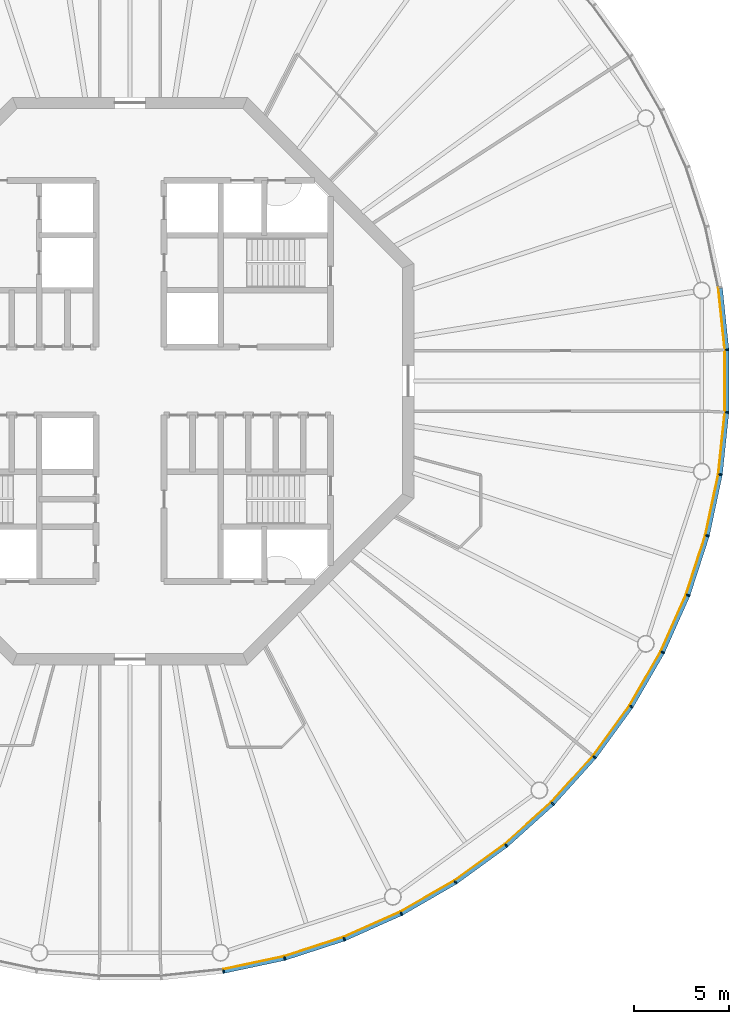
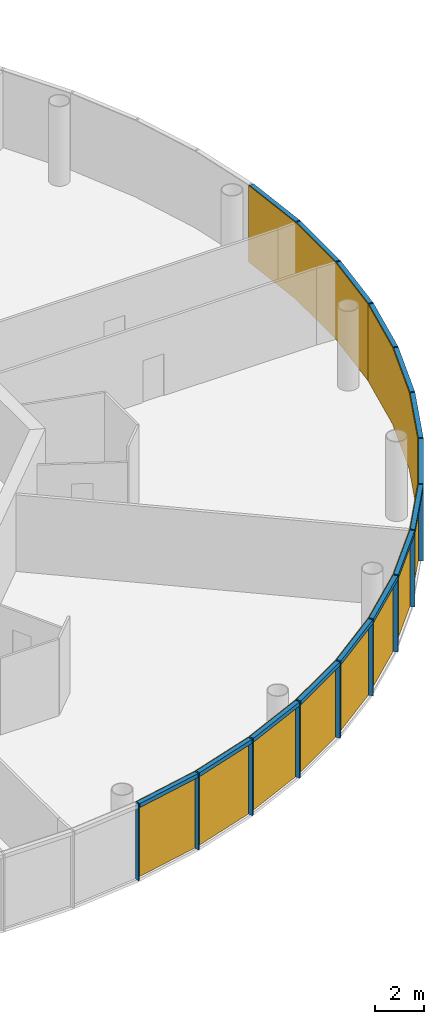
# One storey, part 9 of 13: 30 members, 5 curtain walls.
"""IFC4 building model written with IfcOpenShell, lengths in metres."""

from ifc_helpers import new_model, si_unit, direction, frame, origin, origin_2d, place, context, subcontext, project, spatial, polyline, rectangle, outline, extrude, material, layer, layer_set, material_profile, profile_set, type_object, element, aggregate, save


model = new_model("IFC4")

# Units and contexts
model_context = context("Model", 3, precision=1e-05, world=origin(), true_north=direction((0.0, 1.0)))
body_context = subcontext(model_context, "Body", "Model", "MODEL_VIEW")
ifc_project = project(units=[si_unit("LENGTHUNIT", "METRE"), si_unit("AREAUNIT", "SQUARE_METRE"), si_unit("VOLUMEUNIT", "CUBIC_METRE"), si_unit("PLANEANGLEUNIT", "RADIAN"), si_unit("MASSUNIT", "GRAM", prefix="KILO")], contexts=[model_context])

# Member
ifc_material_1 = material(Name="Anodised aluminium", Category="aluminium")
ifc_material_profile_1 = material_profile(ifc_material_1, rectangle(XDim=0.070068359375, YDim=0.205078125, at=origin_2d()), Name="Mullion 70 x 205 mm anodised aluminium")
ifc_profile_set_1 = profile_set([ifc_material_profile_1], Name="Anodised aluminium")
member_type_1 = type_object("IfcMemberType", Name="Mullion 70 x 205 mm anodised aluminium", PredefinedType="MULLION", material=ifc_profile_set_1)
site_placement = place(None, origin())
building_placement = place(site_placement, origin())
storey_placement = place(building_placement, frame((0.0, 0.0, 364.0)))
member_1_placement = place(storey_placement, frame((94.943603515625, 48.78662109375, 0.0), z_axis=(0.0, 0.0, 1.0), x_axis=(0.987688340595, 0.15643446504, 0.0)))
member_1 = element("IfcMember", 1, at=member_1_placement, type_object=member_type_1, Name="MULLION L84-45", PredefinedType="MULLION", context=body_context, shape_type="SweptSolid", body=[
    extrude(rectangle(XDim=0.070068359375, YDim=0.205078125, at=origin_2d()), origin(), (0.0, 0.0, 1.0), 3.85009765625),
])

member_2_placement = place(storey_placement, frame((98.179443359375, 49.474365234375, 0.0), z_axis=(0.0, 0.0, 1.0), x_axis=(0.965925826289, 0.258819045103, 0.0)))
member_2 = element("IfcMember", 2, at=member_2_placement, type_object=member_type_1, Name="MULLION L84-46", PredefinedType="MULLION", context=body_context, shape_type="SweptSolid", body=[
    extrude(rectangle(XDim=0.070068359375, YDim=0.205078125, at=origin_2d()), origin(), (0.0, 0.0, 1.0), 3.85009765625),
])

member_3_placement = place(storey_placement, frame((101.325439453125, 50.49658203125, 0.0), z_axis=(0.0, 0.0, 1.0), x_axis=(0.933580426497, 0.358367949545, 0.0)))
member_3 = element("IfcMember", 3, at=member_3_placement, type_object=member_type_1, Name="MULLION L84-47", PredefinedType="MULLION", context=body_context, shape_type="SweptSolid", body=[
    extrude(rectangle(XDim=0.070068359375, YDim=0.205078125, at=origin_2d()), origin(), (0.0, 0.0, 1.0), 3.85009765625),
])

member_4_placement = place(storey_placement, frame((104.34716796875, 51.842041015625, 0.0), z_axis=(0.0, 0.0, 1.0), x_axis=(0.891006524188, 0.45399049974, 0.0)))
member_4 = element("IfcMember", 4, at=member_4_placement, type_object=member_type_1, Name="MULLION L84-48", PredefinedType="MULLION", context=body_context, shape_type="SweptSolid", body=[
    extrude(rectangle(XDim=0.070068359375, YDim=0.205078125, at=origin_2d()), origin(), (0.0, 0.0, 1.0), 3.85009765625),
])

member_5_placement = place(storey_placement, frame((107.2119140625, 53.495849609375, 0.0), z_axis=(0.0, 0.0, 1.0), x_axis=(0.838670567945, 0.544639035015, 0.0)))
member_5 = element("IfcMember", 5, at=member_5_placement, type_object=member_type_1, Name="MULLION L84-49", PredefinedType="MULLION", context=body_context, shape_type="SweptSolid", body=[
    extrude(rectangle(XDim=0.070068359375, YDim=0.205078125, at=origin_2d()), origin(), (0.0, 0.0, 1.0), 3.85009765625),
])

member_6_placement = place(storey_placement, frame((109.88818359375, 55.440185546875, 0.0), z_axis=(0.0, 0.0, 1.0), x_axis=(0.777145961457, 0.62932039105, 0.0)))
member_6 = element("IfcMember", 6, at=member_6_placement, type_object=member_type_1, Name="MULLION L84-50", PredefinedType="MULLION", context=body_context, shape_type="SweptSolid", body=[
    extrude(rectangle(XDim=0.070068359375, YDim=0.205078125, at=origin_2d()), origin(), (0.0, 0.0, 1.0), 3.85009765625),
])

member_7_placement = place(storey_placement, frame((112.346435546875, 57.653564453125, 0.0), z_axis=(0.0, 0.0, 1.0), x_axis=(0.707106781187, 0.707106781187, 0.0)))
member_7 = element("IfcMember", 7, at=member_7_placement, type_object=member_type_1, Name="MULLION L84-51", PredefinedType="MULLION", context=body_context, shape_type="SweptSolid", body=[
    extrude(rectangle(XDim=0.070068359375, YDim=0.205078125, at=origin_2d()), origin(), (0.0, 0.0, 1.0), 3.85009765625),
])

member_8_placement = place(storey_placement, frame((114.559814453125, 60.11181640625, 0.0), z_axis=(0.0, 0.0, 1.0), x_axis=(0.62932039105, 0.777145961457, 0.0)))
member_8 = element("IfcMember", 8, at=member_8_placement, type_object=member_type_1, Name="MULLION L84-52", PredefinedType="MULLION", context=body_context, shape_type="SweptSolid", body=[
    extrude(rectangle(XDim=0.070068359375, YDim=0.205078125, at=origin_2d()), origin(), (0.0, 0.0, 1.0), 3.85009765625),
])

member_9_placement = place(storey_placement, frame((116.504150390625, 62.7880859375, 0.0), z_axis=(0.0, 0.0, 1.0), x_axis=(0.544639035015, 0.838670567945, 0.0)))
member_9 = element("IfcMember", 9, at=member_9_placement, type_object=member_type_1, Name="MULLION L84-53", PredefinedType="MULLION", context=body_context, shape_type="SweptSolid", body=[
    extrude(rectangle(XDim=0.070068359375, YDim=0.205078125, at=origin_2d()), origin(), (0.0, 0.0, 1.0), 3.85009765625),
])

member_10_placement = place(storey_placement, frame((118.157958984375, 65.65283203125, 0.0), z_axis=(0.0, 0.0, 1.0), x_axis=(0.45399049974, 0.891006524188, 0.0)))
member_10 = element("IfcMember", 10, at=member_10_placement, type_object=member_type_1, Name="MULLION L84-54", PredefinedType="MULLION", context=body_context, shape_type="SweptSolid", body=[
    extrude(rectangle(XDim=0.070068359375, YDim=0.205078125, at=origin_2d()), origin(), (0.0, 0.0, 1.0), 3.85009765625),
])

member_11_placement = place(storey_placement, frame((119.50341796875, 68.674560546875, 0.0), z_axis=(0.0, 0.0, 1.0), x_axis=(0.358367949545, 0.933580426497, 0.0)))
member_11 = element("IfcMember", 11, at=member_11_placement, type_object=member_type_1, Name="MULLION L84-55", PredefinedType="MULLION", context=body_context, shape_type="SweptSolid", body=[
    extrude(rectangle(XDim=0.070068359375, YDim=0.205078125, at=origin_2d()), origin(), (0.0, 0.0, 1.0), 3.85009765625),
])

member_12_placement = place(storey_placement, frame((120.525634765625, 71.820556640625, 0.0), z_axis=(0.0, 0.0, 1.0), x_axis=(0.258819045103, 0.965925826289, 0.0)))
member_12 = element("IfcMember", 12, at=member_12_placement, type_object=member_type_1, Name="MULLION L84-56", PredefinedType="MULLION", context=body_context, shape_type="SweptSolid", body=[
    extrude(rectangle(XDim=0.070068359375, YDim=0.205078125, at=origin_2d()), origin(), (0.0, 0.0, 1.0), 3.85009765625),
])

member_13_placement = place(storey_placement, frame((121.21337890625, 75.056396484375, 0.0), z_axis=(0.0, 0.0, 1.0), x_axis=(0.15643446504, 0.987688340595, 0.0)))
member_13 = element("IfcMember", 13, at=member_13_placement, type_object=member_type_1, Name="MULLION L84-57", PredefinedType="MULLION", context=body_context, shape_type="SweptSolid", body=[
    extrude(rectangle(XDim=0.070068359375, YDim=0.205078125, at=origin_2d()), origin(), (0.0, 0.0, 1.0), 3.85009765625),
])

member_14_placement = place(storey_placement, frame((121.55908203125, 78.345947265625, 0.0), z_axis=(0.0, 0.0, 1.0), x_axis=(0.052335956243, 0.998629534755, 0.0)))
member_14 = element("IfcMember", 14, at=member_14_placement, type_object=member_type_1, Name="MULLION L84-58", PredefinedType="MULLION", context=body_context, shape_type="SweptSolid", body=[
    extrude(rectangle(XDim=0.070068359375, YDim=0.205078125, at=origin_2d()), origin(), (0.0, 0.0, 1.0), 3.85009765625),
])

member_15_placement = place(storey_placement, frame((121.55908203125, 81.654052734375, 0.0), z_axis=(0.0, 0.0, 1.0), x_axis=(-0.052335956243, 0.998629534755, 0.0)))
member_15 = element("IfcMember", 15, at=member_15_placement, type_object=member_type_1, Name="MULLION L84-59", PredefinedType="MULLION", context=body_context, shape_type="SweptSolid", body=[
    extrude(rectangle(XDim=0.070068359375, YDim=0.205078125, at=origin_2d()), origin(), (0.0, 0.0, 1.0), 3.85009765625),
])

ifc_material_2 = material(Name="Anodised aluminium", Category="aluminium")
ifc_material_profile_2 = material_profile(ifc_material_2, rectangle(XDim=0.205078125, YDim=0.195068359375, at=origin_2d()), Name="Transom 195 x 205 mm anodised aluminium")
ifc_profile_set_2 = profile_set([ifc_material_profile_2], Name="Anodised aluminium")
member_type_2 = type_object("IfcMemberType", Name="Transom 195 x 205 mm anodised aluminium", PredefinedType="USERDEFINED", material=ifc_profile_set_2)
member_16_placement = place(storey_placement, frame((94.983154296875, 48.794921875, 3.75244140625), z_axis=(0.978153082647, 0.207885898771, 0.0), x_axis=(-0.207885898771, 0.978153082647, 0.0)))
member_16 = element("IfcMember", 16, at=member_16_placement, type_object=member_type_2, Name="TRANSOM L84-45", ObjectType="TRANSOM", PredefinedType="USERDEFINED", context=body_context, shape_type="SweptSolid", body=[
    extrude(rectangle(XDim=0.205078125, YDim=0.195068359375, at=origin_2d()), origin(), (0.0, 0.0, 1.0), 3.227294921875),
])

member_17_placement = place(storey_placement, frame((98.2177734375, 49.486572265625, 3.75244140625), z_axis=(0.951046855117, 0.309046726844, 0.0), x_axis=(-0.309046726844, 0.951046855117, 0.0)))
member_17 = element("IfcMember", 17, at=member_17_placement, type_object=member_type_2, Name="TRANSOM L84-46", ObjectType="TRANSOM", PredefinedType="USERDEFINED", context=body_context, shape_type="SweptSolid", body=[
    extrude(rectangle(XDim=0.205078125, YDim=0.195068359375, at=origin_2d()), origin(), (0.0, 0.0, 1.0), 3.22705078125),
])

member_18_placement = place(storey_placement, frame((101.3623046875, 50.5126953125, 3.75244140625), z_axis=(0.913521178731, 0.406791170024, 0.0), x_axis=(-0.406791170024, 0.913521178731, 0.0)))
member_18 = element("IfcMember", 18, at=member_18_placement, type_object=member_type_2, Name="TRANSOM L84-47", ObjectType="TRANSOM", PredefinedType="USERDEFINED", context=body_context, shape_type="SweptSolid", body=[
    extrude(rectangle(XDim=0.205078125, YDim=0.195068359375, at=origin_2d()), origin(), (0.0, 0.0, 1.0), 3.22705078125),
])

member_19_placement = place(storey_placement, frame((104.38232421875, 51.862060546875, 3.75244140625), z_axis=(0.866023062494, 0.500004055213, 0.0), x_axis=(-0.500004055213, 0.866023062494, 0.0)))
member_19 = element("IfcMember", 19, at=member_19_placement, type_object=member_type_2, Name="TRANSOM L84-48", ObjectType="TRANSOM", PredefinedType="USERDEFINED", context=body_context, shape_type="SweptSolid", body=[
    extrude(rectangle(XDim=0.205078125, YDim=0.195068359375, at=origin_2d()), origin(), (0.0, 0.0, 1.0), 3.22705078125),
])

member_20_placement = place(storey_placement, frame((107.24462890625, 53.51953125, 3.75244140625), z_axis=(0.809004252048, 0.587802790201, 0.0), x_axis=(-0.587802790201, 0.809004252048, 0.0)))
member_20 = element("IfcMember", 20, at=member_20_placement, type_object=member_type_2, Name="TRANSOM L84-49", ObjectType="TRANSOM", PredefinedType="USERDEFINED", context=body_context, shape_type="SweptSolid", body=[
    extrude(rectangle(XDim=0.205078125, YDim=0.195068359375, at=origin_2d()), origin(), (0.0, 0.0, 1.0), 3.227294921875),
])

member_21_placement = place(storey_placement, frame((109.918212890625, 55.467041015625, 3.75244140625), z_axis=(0.743132370743, 0.669144438484, 0.0), x_axis=(-0.669144438484, 0.743132370743, 0.0)))
member_21 = element("IfcMember", 21, at=member_21_placement, type_object=member_type_2, Name="TRANSOM L84-50", ObjectType="TRANSOM", PredefinedType="USERDEFINED", context=body_context, shape_type="SweptSolid", body=[
    extrude(rectangle(XDim=0.205078125, YDim=0.195068359375, at=origin_2d()), origin(), (0.0, 0.0, 1.0), 3.22705078125),
])

member_22_placement = place(storey_placement, frame((112.37353515625, 57.68359375, 3.75244140625), z_axis=(0.669144438484, 0.743132370743, 0.0), x_axis=(-0.743132370743, 0.669144438484, 0.0)))
member_22 = element("IfcMember", 22, at=member_22_placement, type_object=member_type_2, Name="TRANSOM L84-51", ObjectType="TRANSOM", PredefinedType="USERDEFINED", context=body_context, shape_type="SweptSolid", body=[
    extrude(rectangle(XDim=0.205078125, YDim=0.195068359375, at=origin_2d()), origin(), (0.0, 0.0, 1.0), 3.22705078125),
])

member_23_placement = place(storey_placement, frame((114.58349609375, 60.14453125, 3.75244140625), z_axis=(0.587802790201, 0.809004252048, 0.0), x_axis=(-0.809004252048, 0.587802790201, 0.0)))
member_23 = element("IfcMember", 23, at=member_23_placement, type_object=member_type_2, Name="TRANSOM L84-52", ObjectType="TRANSOM", PredefinedType="USERDEFINED", context=body_context, shape_type="SweptSolid", body=[
    extrude(rectangle(XDim=0.205078125, YDim=0.195068359375, at=origin_2d()), origin(), (0.0, 0.0, 1.0), 3.227294921875),
])

member_24_placement = place(storey_placement, frame((116.5244140625, 62.822998046875, 3.75244140625), z_axis=(0.500004055213, 0.866023062494, 0.0), x_axis=(-0.866023062494, 0.500004055213, 0.0)))
member_24 = element("IfcMember", 24, at=member_24_placement, type_object=member_type_2, Name="TRANSOM L84-53", ObjectType="TRANSOM", PredefinedType="USERDEFINED", context=body_context, shape_type="SweptSolid", body=[
    extrude(rectangle(XDim=0.205078125, YDim=0.195068359375, at=origin_2d()), origin(), (0.0, 0.0, 1.0), 3.22705078125),
])

member_25_placement = place(storey_placement, frame((118.174560546875, 65.689697265625, 3.75244140625), z_axis=(0.406791170024, 0.913521178731, 0.0), x_axis=(-0.913521178731, 0.406791170024, 0.0)))
member_25 = element("IfcMember", 25, at=member_25_placement, type_object=member_type_2, Name="TRANSOM L84-54", ObjectType="TRANSOM", PredefinedType="USERDEFINED", context=body_context, shape_type="SweptSolid", body=[
    extrude(rectangle(XDim=0.205078125, YDim=0.195068359375, at=origin_2d()), origin(), (0.0, 0.0, 1.0), 3.22705078125),
])

member_26_placement = place(storey_placement, frame((119.51611328125, 68.713134765625, 3.75244140625), z_axis=(0.309046726844, 0.951046855117, 0.0), x_axis=(-0.951046855117, 0.309046726844, 0.0)))
member_26 = element("IfcMember", 26, at=member_26_placement, type_object=member_type_2, Name="TRANSOM L84-55", ObjectType="TRANSOM", PredefinedType="USERDEFINED", context=body_context, shape_type="SweptSolid", body=[
    extrude(rectangle(XDim=0.205078125, YDim=0.195068359375, at=origin_2d()), origin(), (0.0, 0.0, 1.0), 3.22705078125),
])

member_27_placement = place(storey_placement, frame((120.5341796875, 71.860107421875, 3.75244140625), z_axis=(0.207885898771, 0.978153082647, 0.0), x_axis=(-0.978153082647, 0.207885898771, 0.0)))
member_27 = element("IfcMember", 27, at=member_27_placement, type_object=member_type_2, Name="TRANSOM L84-56", ObjectType="TRANSOM", PredefinedType="USERDEFINED", context=body_context, shape_type="SweptSolid", body=[
    extrude(rectangle(XDim=0.205078125, YDim=0.195068359375, at=origin_2d()), origin(), (0.0, 0.0, 1.0), 3.227294921875),
])

member_28_placement = place(storey_placement, frame((121.2177734375, 75.096435546875, 3.75244140625), z_axis=(0.104550890115, 0.994519537956, 0.0), x_axis=(-0.994519537956, 0.104550890115, 0.0)))
member_28 = element("IfcMember", 28, at=member_28_placement, type_object=member_type_2, Name="TRANSOM L84-57", ObjectType="TRANSOM", PredefinedType="USERDEFINED", context=body_context, shape_type="SweptSolid", body=[
    extrude(rectangle(XDim=0.205078125, YDim=0.195068359375, at=origin_2d()), origin(), (0.0, 0.0, 1.0), 3.22705078125),
])

member_29_placement = place(storey_placement, frame((121.559326171875, 78.386474609375, 3.75244140625), z_axis=(0.0, 1.0, 0.0), x_axis=(-1.0, 0.0, 0.0)))
member_29 = element("IfcMember", 29, at=member_29_placement, type_object=member_type_2, Name="TRANSOM L84-58", ObjectType="TRANSOM", PredefinedType="USERDEFINED", context=body_context, shape_type="SweptSolid", body=[
    extrude(rectangle(XDim=0.205078125, YDim=0.195068359375, at=origin_2d()), origin(), (0.0, 0.0, 1.0), 3.22705078125),
])

member_30_placement = place(storey_placement, frame((121.55517578125, 81.694091796875, 3.75244140625), z_axis=(-0.104550890115, 0.994519537956, 0.0), x_axis=(-0.994519537956, -0.104550890115, 0.0)))
member_30 = element("IfcMember", 30, at=member_30_placement, type_object=member_type_2, Name="TRANSOM L84-59", ObjectType="TRANSOM", PredefinedType="USERDEFINED", context=body_context, shape_type="SweptSolid", body=[
    extrude(rectangle(XDim=0.205078125, YDim=0.195068359375, at=origin_2d()), origin(), (0.0, 0.0, 1.0), 3.22705078125),
])

# Site, building, storey
site = spatial("IfcSite", under=ifc_project, at=site_placement, CompositionType="ELEMENT")
building = spatial("IfcBuilding", under=site, at=building_placement, Name="Entoto Ring Tower", CompositionType="ELEMENT")
storey = spatial("IfcBuildingStorey", under=building, at=storey_placement, Name="L84", CompositionType="ELEMENT", Elevation=364.0)

# Curtain wall
ifc_material_3 = material(Name="Clear low-iron glass", Category="glass")
ifc_layer = layer(ifc_material_3, 0.035888671875)
ifc_layer_set = layer_set([ifc_layer], Name="Clear low-iron glass")
curtain_wall_type = type_object("IfcCurtainWallType", Name="Curtain wall system CW6 glazing 36 mm", PredefinedType="NOTDEFINED", material=ifc_layer_set)
curtain_wall_1_placement = place(storey_placement, origin())
curtain_wall_1 = element("IfcCurtainWall", 31, at=curtain_wall_1_placement, inside=storey, type_object=curtain_wall_type, Name="CW6 L84-16", PredefinedType="NOTDEFINED", context=body_context, shape_type="SweptSolid", body=[
    extrude(outline(polyline([(94.927734375, 48.8876953125), (98.15283203125, 49.5732421875), (101.28857421875, 50.59228515625), (104.30078125, 51.933349609375), (104.284423828125, 51.96533203125), (101.275634765625, 50.6259765625), (98.1435546875, 49.608154296875), (94.922119140625, 48.92333984375), (94.927734375, 48.8876953125)])), origin(), (0.0, 0.0, 1.0), 3.85009765625),
])

aggregate(curtain_wall_1, [member_1, member_2, member_3, member_16, member_17, member_18])

curtain_wall_2_placement = place(storey_placement, origin())
curtain_wall_2 = element("IfcCurtainWall", 32, at=curtain_wall_2_placement, inside=storey, type_object=curtain_wall_type, Name="CW6 L84-17", PredefinedType="NOTDEFINED", context=body_context, shape_type="SweptSolid", body=[
    extrude(outline(polyline([(104.30078125, 51.933349609375), (107.15625, 53.581787109375), (109.823486328125, 55.52001953125), (112.27392578125, 57.72607421875), (112.248291015625, 57.751708984375), (109.801025390625, 55.5478515625), (107.136474609375, 53.612060546875), (104.284423828125, 51.96533203125), (104.30078125, 51.933349609375)])), origin(), (0.0, 0.0, 1.0), 3.85009765625),
])

aggregate(curtain_wall_2, [member_4, member_5, member_6, member_19, member_20, member_21])

curtain_wall_3_placement = place(storey_placement, origin())
curtain_wall_3 = element("IfcCurtainWall", 33, at=curtain_wall_3_placement, inside=storey, type_object=curtain_wall_type, Name="CW6 L84-18", PredefinedType="NOTDEFINED", context=body_context, shape_type="SweptSolid", body=[
    extrude(outline(polyline([(112.27392578125, 57.72607421875), (114.47998046875, 60.176513671875), (116.418212890625, 62.84375), (118.066650390625, 65.69921875), (118.03466796875, 65.715576171875), (116.387939453125, 62.863525390625), (114.4521484375, 60.198974609375), (112.248291015625, 57.751708984375), (112.27392578125, 57.72607421875)])), origin(), (0.0, 0.0, 1.0), 3.85009765625),
])

aggregate(curtain_wall_3, [member_7, member_8, member_9, member_22, member_23, member_24])

curtain_wall_4_placement = place(storey_placement, origin())
curtain_wall_4 = element("IfcCurtainWall", 34, at=curtain_wall_4_placement, inside=storey, type_object=curtain_wall_type, Name="CW6 L84-19", PredefinedType="NOTDEFINED", context=body_context, shape_type="SweptSolid", body=[
    extrude(outline(polyline([(118.066650390625, 65.69921875), (119.40771484375, 68.71142578125), (120.4267578125, 71.84716796875), (121.1123046875, 75.072265625), (121.07666015625, 75.077880859375), (120.391845703125, 71.8564453125), (119.3740234375, 68.724365234375), (118.03466796875, 65.715576171875), (118.066650390625, 65.69921875)])), origin(), (0.0, 0.0, 1.0), 3.85009765625),
])

aggregate(curtain_wall_4, [member_10, member_11, member_12, member_25, member_26, member_27])

curtain_wall_5_placement = place(storey_placement, origin())
curtain_wall_5 = element("IfcCurtainWall", 35, at=curtain_wall_5_placement, inside=storey, type_object=curtain_wall_type, Name="CW6 L84-20", PredefinedType="NOTDEFINED", context=body_context, shape_type="SweptSolid", body=[
    extrude(outline(polyline([(121.1123046875, 75.072265625), (121.456787109375, 78.351318359375), (121.456787109375, 81.648681640625), (121.1123046875, 84.927734375), (121.07666015625, 84.922119140625), (121.4208984375, 81.646728515625), (121.4208984375, 78.353271484375), (121.07666015625, 75.077880859375), (121.1123046875, 75.072265625)])), origin(), (0.0, 0.0, 1.0), 3.85009765625),
])

aggregate(curtain_wall_5, [member_13, member_14, member_15, member_28, member_29, member_30])

save(model, "model.ifc")
